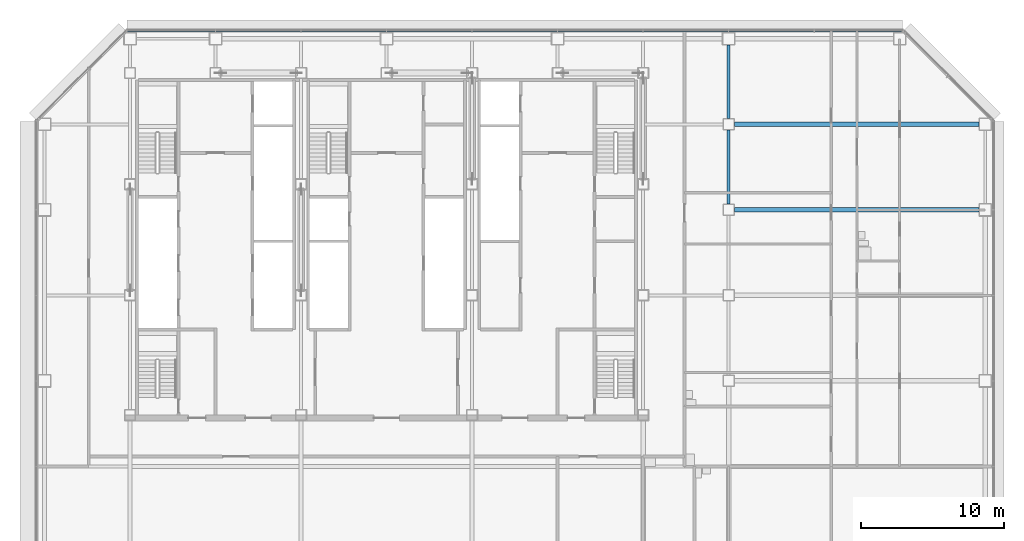
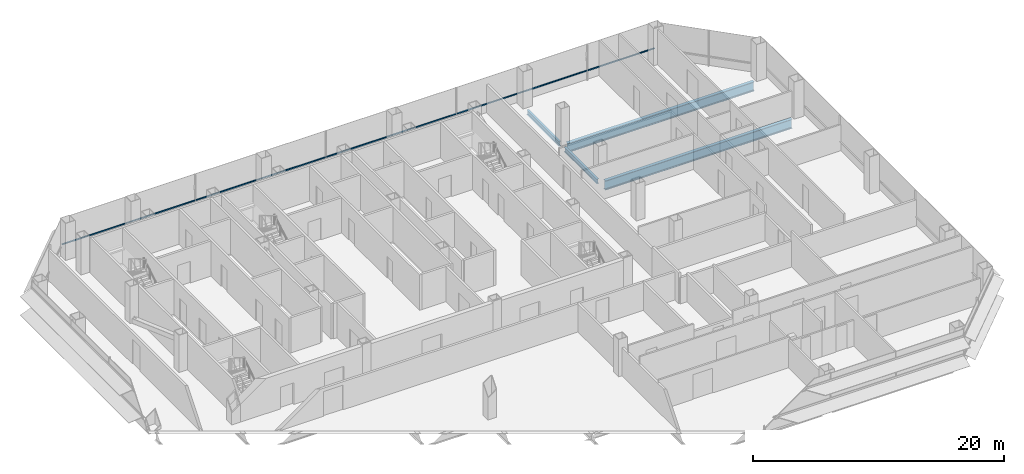
# One storey, part 14 of 28: 4 beams, 1 member, 1 element without a shape of its own.
"""IFC4 building model written with IfcOpenShell, lengths in metres."""

from ifc_helpers import new_model, si_unit, direction, frame, origin, origin_2d, place, context, subcontext, project, spatial, rectangle, i_section, extrude, material, material_profile, profile_set, type_object, element, aggregate, save


model = new_model("IFC4")

# Units and contexts
model_context = context("Model", 3, precision=1e-05, world=origin(), true_north=direction((0.0, 1.0)))
body_context = subcontext(model_context, "Body", "Model", "MODEL_VIEW")
ifc_project = project(units=[si_unit("LENGTHUNIT", "METRE"), si_unit("AREAUNIT", "SQUARE_METRE"), si_unit("VOLUMEUNIT", "CUBIC_METRE"), si_unit("PLANEANGLEUNIT", "RADIAN"), si_unit("MASSUNIT", "GRAM", prefix="KILO")], contexts=[model_context])

# Site, building, storey
site_placement = place(None, origin())
site = spatial("IfcSite", under=ifc_project, at=site_placement, CompositionType="ELEMENT")
building_placement = place(site_placement, origin())
building = spatial("IfcBuilding", under=site, at=building_placement, Name="Sorahane Residences", CompositionType="ELEMENT")
storey_placement = place(building_placement, frame((0.0, 0.0, 60.60009765625)))
storey = spatial("IfcBuildingStorey", under=building, at=storey_placement, Name="L11", CompositionType="ELEMENT", Elevation=60.60009765625)

# Curtain wall, member
ifc_material_1 = material(Name="Dark low-e glass and black anodised aluminium", Category="aluminium")
curtain_wall_type = type_object("IfcCurtainWallType", Name="Curtain wall CW-1 Typical unitised wall", PredefinedType="NOTDEFINED", material=ifc_material_1)
curtain_wall_placement = place(storey_placement, origin())
curtain_wall = element("IfcCurtainWall", 1, at=curtain_wall_placement, inside=storey, type_object=curtain_wall_type, Name="CW-1 curtain wall L11 N1", PredefinedType="NOTDEFINED")
ifc_material_2 = material(Name="Black anodised aluminium", Category="aluminium")
ifc_material_profile_1 = material_profile(ifc_material_2, rectangle(XDim=0.10009765625, YDim=0.06005859375, at=origin_2d()), Name="Curtain wall transom CW-1 black anodised aluminium 60x100")
ifc_profile_set_1 = profile_set([ifc_material_profile_1], Name="Black anodised aluminium")
member_type = type_object("IfcMemberType", Name="Curtain wall transom CW-1 black anodised aluminium 60x100", PredefinedType="USERDEFINED", material=ifc_profile_set_1)
member_placement = place(storey_placement, frame((60.198486328125, 48.530029296875, 0.89990234375), z_axis=(-1.0, 0.0, 0.0), x_axis=(0.0, -1.0, 0.0)))
member = element("IfcMember", 2, at=member_placement, type_object=member_type, Name="CW-1 transom L11 N1", ObjectType="TRANSOM", PredefinedType="USERDEFINED", context=body_context, shape_type="SweptSolid", body=[
    extrude(rectangle(XDim=0.10009765625, YDim=0.06005859375, at=origin_2d()), origin(), (0.0, 0.0, 1.0), 54.39697265625),
])
aggregate(curtain_wall, [member])

# Beams
ifc_material_3 = material(Name="Steel Q355B", Category="steel")
ifc_material_profile_2 = material_profile(ifc_material_3, i_section(OverallWidth=0.199951171875, OverallDepth=0.449951171875, WebThickness=0.009033203125, FlangeThickness=0.013916015625, FilletRadius=0.02001953125, at=origin_2d()), Name="HN 450x200x9x14")
ifc_profile_set_2 = profile_set([ifc_material_profile_2], Name="Steel Q355B")
beam_type_1 = type_object("IfcBeamType", Name="Steel floor beam HN 450x200x9x14 Q355B", PredefinedType="BEAM", material=ifc_profile_set_2)
beam_1_placement = place(storey_placement, frame((48.0, 36.39990234375, -0.405029296875), z_axis=(0.0, 1.0, 0.0), x_axis=(-1.0, 0.0, 0.0)))
element("IfcBeam", 3, at=beam_1_placement, inside=storey, type_object=beam_type_1, Name="Beam L11 054", PredefinedType="BEAM", context=body_context, shape_type="SweptSolid", body=[
    extrude(i_section(OverallWidth=0.199951171875, OverallDepth=0.449951171875, WebThickness=0.009033203125, FlangeThickness=0.013916015625, FilletRadius=0.02001953125, at=origin_2d()), origin(), (0.0, 0.0, 1.0), 5.2001953125),
])
beam_2_placement = place(storey_placement, frame((48.0, 42.39990234375, -0.405029296875), z_axis=(0.0, 1.0, 0.0), x_axis=(-1.0, 0.0, 0.0)))
element("IfcBeam", 4, at=beam_2_placement, inside=storey, type_object=beam_type_1, Name="Beam L11 055", PredefinedType="BEAM", context=body_context, shape_type="SweptSolid", body=[
    extrude(i_section(OverallWidth=0.199951171875, OverallDepth=0.449951171875, WebThickness=0.009033203125, FlangeThickness=0.013916015625, FilletRadius=0.02001953125, at=origin_2d()), origin(), (0.0, 0.0, 1.0), 5.150146484375),
])
ifc_material_4 = material(Name="Steel Q355B", Category="steel")
ifc_material_profile_3 = material_profile(ifc_material_4, i_section(OverallWidth=0.300048828125, OverallDepth=0.89990234375, WebThickness=0.01611328125, FlangeThickness=0.028076171875, FilletRadius=0.028076171875, at=origin_2d()), Name="HN 900x300x16x28")
ifc_profile_set_3 = profile_set([ifc_material_profile_3], Name="Steel Q355B")
beam_type_2 = type_object("IfcBeamType", Name="Steel floor beam HN 900x300x16x28 Q355B", PredefinedType="BEAM", material=ifc_profile_set_3)
for number, where, z_axis, x_axis, name in (
    (5, (48.39990234375, 36.0, -0.630126953125), (1.0, 0.0, 0.0), (0.0, 1.0, 0.0), "Beam L11 011"),
    (6, (48.39990234375, 42.0, -0.630126953125), (1.0, 0.0, 0.0), (0.0, 1.0, 0.0), "Beam L11 079"),
):
    element("IfcBeam", number, at=place(storey_placement, frame(where, z_axis=z_axis, x_axis=x_axis)), inside=storey, type_object=beam_type_2, Name=name, PredefinedType="BEAM", context=body_context, shape_type="SweptSolid", body=[
        extrude(i_section(OverallWidth=0.300048828125, OverallDepth=0.89990234375, WebThickness=0.01611328125, FlangeThickness=0.028076171875, FilletRadius=0.028076171875, at=origin_2d()), origin(), (0.0, 0.0, 1.0), 17.150146484375),
    ])

save(model, "model.ifc")
